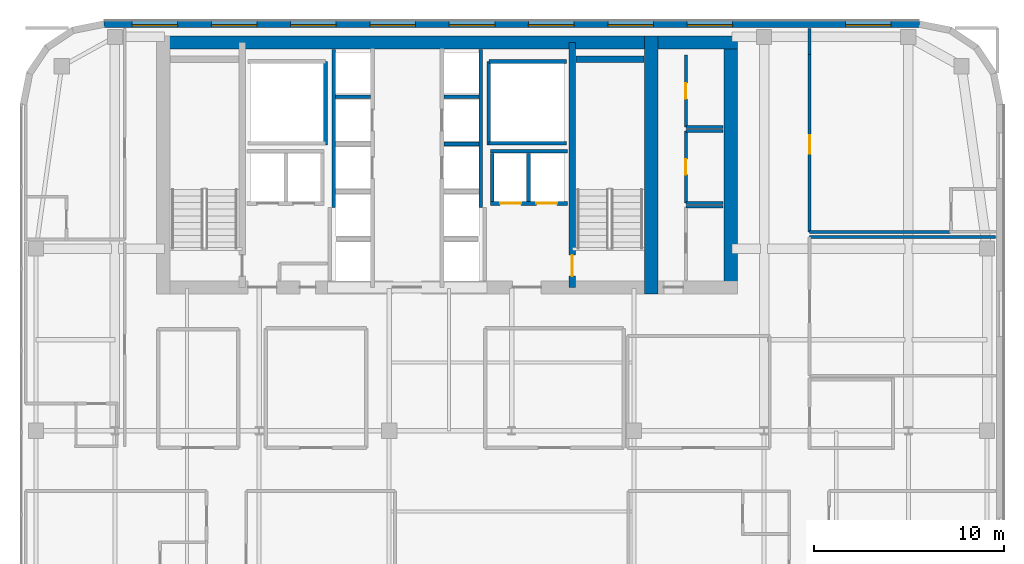
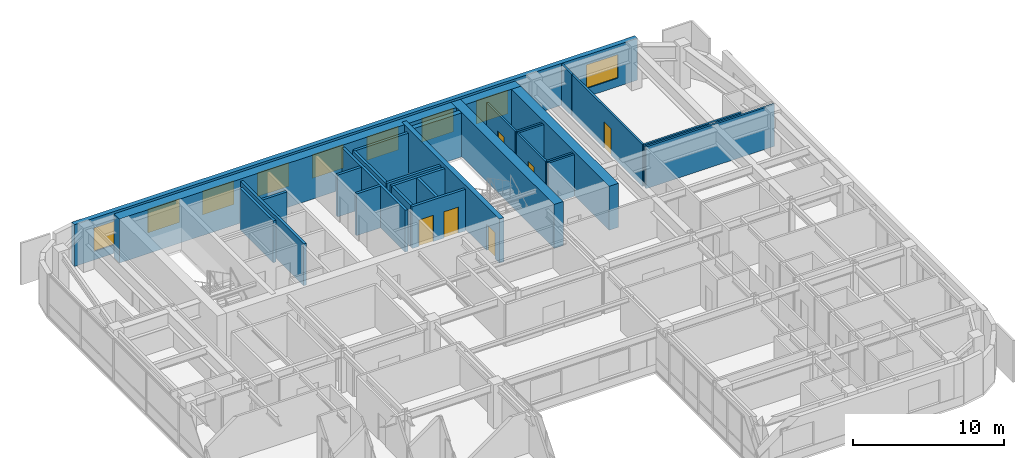
# One storey, part 22 of 28: 30 walls, 9 windows, 6 doors, 15 openings.
"""IFC4 building model written with IfcOpenShell, lengths in metres."""

from ifc_helpers import new_model, si_unit, direction, frame, frame_2d, origin, place, context, subcontext, project, spatial, rectangle, extrude, source, transform, mapped, material, layer, layer_set, type_object, type_shapes, element, fill, save


model = new_model("IFC4")

# Units and contexts
model_context = context("Model", 3, precision=1e-05, world=origin(), true_north=direction((0.0, 1.0)))
body_context = subcontext(model_context, "Body", "Model", "MODEL_VIEW")
ifc_project = project(units=[si_unit("LENGTHUNIT", "METRE"), si_unit("AREAUNIT", "SQUARE_METRE"), si_unit("VOLUMEUNIT", "CUBIC_METRE"), si_unit("PLANEANGLEUNIT", "RADIAN"), si_unit("MASSUNIT", "GRAM", prefix="KILO")], contexts=[model_context])

# Site, building, storey
site_placement = place(None, origin())
site = spatial("IfcSite", under=ifc_project, at=site_placement, CompositionType="ELEMENT")
building_placement = place(site_placement, origin())
building = spatial("IfcBuilding", under=site, at=building_placement, Name="Tolvann Quenvar Hotel", CompositionType="ELEMENT")
storey_placement = place(building_placement, frame((0.0, 0.0, 154.14990234375)))
storey = spatial("IfcBuildingStorey", under=building, at=storey_placement, Name="L40", CompositionType="ELEMENT", Elevation=154.14990234375)

# Walls
ifc_material_1 = material(Name="Concrete S65 (65 MPa)", Category="concrete")
ifc_layer_1 = layer(ifc_material_1, 0.699951171875)
ifc_layer_set_1 = layer_set([ifc_layer_1], Name="Concrete S65 (65 MPa)")
wall_type_1 = type_object("IfcWallType", Name="WALL_CORE_700", PredefinedType="SHEAR", material=ifc_layer_set_1)
wall_1_placement = place(storey_placement, frame((9.800048828125, 44.85009765625, 0.0), z_axis=(0.0, 0.0, 1.0), x_axis=(1.0, 0.0, 0.0)))
element("IfcWall", 1, at=wall_1_placement, inside=storey, type_object=wall_type_1, Name="Rear Core N Shear Wall (L40)", PredefinedType="SHEAR", context=body_context, shape_type="SweptSolid", body=[
    extrude(rectangle(XDim=26.39990234375, YDim=0.699951171875, at=frame_2d((13.199951171875, 0.0))), origin(), (0.0, 0.0, 1.0), 3.550048828125),
])
wall_2_placement = place(storey_placement, frame((35.85009765625, 31.60009765625, 0.0), z_axis=(0.0, 0.0, 1.0), x_axis=(0.0, 1.0, 0.0)))
element("IfcWall", 2, at=wall_2_placement, inside=storey, type_object=wall_type_1, Name="Rear Core E Shear Wall (L40)", PredefinedType="SHEAR", context=body_context, shape_type="SweptSolid", body=[
    extrude(rectangle(XDim=13.599853515625, YDim=0.699951171875, at=frame_2d((6.7998046875, 0.0))), origin(), (0.0, 0.0, 1.0), 3.550048828125),
])
wall_3_placement = place(storey_placement, frame((36.199951171875, 44.85009765625, 0.0), z_axis=(0.0, 0.0, 1.0), x_axis=(1.0, 0.0, 0.0)))
element("IfcWall", 3, at=wall_3_placement, inside=storey, type_object=wall_type_1, Name="Core East Annex Shear Wall ANN-N (L40)", PredefinedType="SHEAR", context=body_context, shape_type="SweptSolid", body=[
    extrude(rectangle(XDim=4.199951171875, YDim=0.699951171875, at=frame_2d((2.10009765625, 0.0))), origin(), (0.0, 0.0, 1.0), 3.550048828125),
])
wall_4_placement = place(storey_placement, frame((40.050048828125, 31.60009765625, 0.0), z_axis=(0.0, 0.0, 1.0), x_axis=(0.0, 1.0, 0.0)))
element("IfcWall", 4, at=wall_4_placement, inside=storey, type_object=wall_type_1, Name="Core East Annex Shear Wall ANN-E (L40)", PredefinedType="SHEAR", context=body_context, shape_type="SweptSolid", body=[
    extrude(rectangle(XDim=13.599853515625, YDim=0.699951171875, at=frame_2d((6.7998046875, 0.0))), origin(), (0.0, 0.0, 1.0), 3.550048828125),
])

# Wall, opening, door
ifc_layer_2 = layer(ifc_material_1, 0.35009765625)
ifc_layer_set_2 = layer_set([ifc_layer_2], Name="Concrete S65 (65 MPa)")
wall_type_2 = type_object("IfcWallType", Name="WALL_CORE_INT_350", PredefinedType="SHEAR", material=ifc_layer_set_2)
wall_5_placement = place(storey_placement, frame((31.699951171875, 31.949951171875, 0.0), z_axis=(0.0, 0.0, 1.0), x_axis=(0.0, 1.0, 0.0)))
wall_5 = element("IfcWall", 5, at=wall_5_placement, inside=storey, type_object=wall_type_2, Name="Core Internal Web Shear Wall WEB-E (L40)", PredefinedType="SHEAR", context=body_context, shape_type="SweptSolid", body=[
    extrude(rectangle(XDim=12.900146484375, YDim=0.35009765625, at=frame_2d((6.4501953125, 0.0))), origin(), (0.0, 0.0, 1.0), 3.550048828125),
])
opening_1_placement = place(wall_5_placement, frame((1.7001953125, 0.0, 0.0), z_axis=(0.0, 0.0, 1.0), x_axis=(-1.0, 0.0, 0.0)))
opening_1 = element("IfcOpeningElement", 6, at=opening_1_placement, cuts=wall_5, Name="Opening FD-120", PredefinedType="OPENING", context=body_context, shape_type="SweptSolid", body=[
    extrude(rectangle(XDim=1.10009765625, YDim=2.1201171875, at=frame_2d((0.550048828125, 1.06005859375))), frame((0.0, 0.18505859375, 0.0), z_axis=(0.0, -1.0, 0.0), x_axis=(1.0, 0.0, 0.0)), (0.0, 0.0, 1.0), 0.3701171875),
])
ifc_material_2 = material(Name="Pressed galvanised steel fire-rated door set", Category="steel")
door_type_1 = type_object("IfcDoorType", Name="DOOR_FIRE_STAIR_1100", OperationType="NOTDEFINED", PredefinedType="DOOR", material=ifc_material_2)
shared_shape_1 = source(origin(), body_context, "Body", "SweptSolid", [
    extrude(rectangle(XDim=1.10009765625, YDim=2.1201171875, at=frame_2d((0.550048828125, 1.06005859375))), frame((0.0, 0.02490234375, 0.0), z_axis=(0.0, -1.0, 0.0), x_axis=(1.0, 0.0, 0.0)), (0.0, 0.0, 1.0), 0.050048828125),
])
type_shapes(door_type_1, [shared_shape_1])
door_1_placement = place(opening_1_placement, origin())
door_1 = element("IfcDoor", 7, at=door_1_placement, inside=storey, type_object=door_type_1, Name="Exit Stair ST-C2 Fire Door (L40)", OperationType="SINGLE_SWING_RIGHT", OverallHeight=2.1201171875, OverallWidth=1.10009765625, PredefinedType="DOOR", context=body_context, shape_type="MappedRepresentation", body=[
    mapped(shared_shape_1, transform((0.0, 0.0, 0.0), x_axis=(1.0, 0.0, 0.0), y_axis=(0.0, 1.0, 0.0), z_axis=(0.0, 0.0, 1.0), scale=1.0)),
])
fill(opening_1, door_1)

# Wall
wall_6_placement = place(storey_placement, frame((31.8798828125, 43.97509765625, 0.0), z_axis=(0.0, 0.0, 1.0), x_axis=(1.0, 0.0, 0.0)))
element("IfcWall", 8, at=wall_6_placement, inside=storey, type_object=wall_type_2, Name="Core Stair North Closing Shear Wall STC2-N (L40)", PredefinedType="SHEAR", context=body_context, shape_type="SweptSolid", body=[
    extrude(rectangle(XDim=3.60009765625, YDim=0.35009765625, at=frame_2d((1.800048828125, 0.0))), origin(), (0.0, 0.0, 1.0), 3.550048828125),
])

# Wall, openings, windows
ifc_material_3 = material(Name="Kiln-fired red and buff architectural clay brickwork and terracotta masonry", Category="masonry")
ifc_layer_3 = layer(ifc_material_3, 0.35009765625)
ifc_layer_set_3 = layer_set([ifc_layer_3], Name="Kiln-fired red and buff architectural clay brickwork and terracotta masonry")
wall_type_3 = type_object("IfcWallType", Name="WALL_EXT_BRICK_350", PredefinedType="SOLIDWALL", material=ifc_layer_set_3)
wall_7_placement = place(storey_placement, frame((49.98291015625, 45.824951171875, 0.0), z_axis=(0.0, 0.0, 1.0), x_axis=(-1.0, 0.0, 0.0)))
wall_7 = element("IfcWall", 9, at=wall_7_placement, inside=storey, type_object=wall_type_3, Name="Exterior Chicago Brick Wall L40-E18", PredefinedType="SOLIDWALL", context=body_context, shape_type="SweptSolid", body=[
    extrude(rectangle(XDim=42.9658203125, YDim=0.35009765625, at=frame_2d((21.48291015625, 0.0))), origin(), (0.0, 0.0, 1.0), 3.3701171875),
])
opening_2_placement = place(wall_7_placement, frame((1.488037109375, 0.0, 0.679931640625)))
opening_2 = element("IfcOpeningElement", 10, at=opening_2_placement, cuts=wall_7, Name="Opening W-01", PredefinedType="OPENING", context=body_context, shape_type="SweptSolid", body=[
    extrude(rectangle(XDim=2.39990234375, YDim=1.89990234375, at=frame_2d((1.199951171875, 0.949951171875))), frame((0.0, 0.18505859375, 0.0), z_axis=(0.0, -1.0, 0.0), x_axis=(1.0, 0.0, 0.0)), (0.0, 0.0, 1.0), 0.3701171875),
])
opening_3_placement = place(wall_7_placement, frame((9.841064453125, 0.0, 0.679931640625)))
opening_3 = element("IfcOpeningElement", 11, at=opening_3_placement, cuts=wall_7, Name="Opening W-01", PredefinedType="OPENING", context=body_context, shape_type="SweptSolid", body=[
    extrude(rectangle(XDim=2.39990234375, YDim=1.89990234375, at=frame_2d((1.199951171875, 0.949951171875))), frame((0.0, 0.18505859375, 0.0), z_axis=(0.0, -1.0, 0.0), x_axis=(1.0, 0.0, 0.0)), (0.0, 0.0, 1.0), 0.3701171875),
])
opening_4_placement = place(wall_7_placement, frame((14.01806640625, 0.0, 0.679931640625)))
opening_4 = element("IfcOpeningElement", 12, at=opening_4_placement, cuts=wall_7, Name="Opening W-01", PredefinedType="OPENING", context=body_context, shape_type="SweptSolid", body=[
    extrude(rectangle(XDim=2.39990234375, YDim=1.89990234375, at=frame_2d((1.199951171875, 0.949951171875))), frame((0.0, 0.18505859375, 0.0), z_axis=(0.0, -1.0, 0.0), x_axis=(1.0, 0.0, 0.0)), (0.0, 0.0, 1.0), 0.3701171875),
])
opening_5_placement = place(wall_7_placement, frame((18.195068359375, 0.0, 0.679931640625)))
opening_5 = element("IfcOpeningElement", 13, at=opening_5_placement, cuts=wall_7, Name="Opening W-01", PredefinedType="OPENING", context=body_context, shape_type="SweptSolid", body=[
    extrude(rectangle(XDim=2.39990234375, YDim=1.89990234375, at=frame_2d((1.199951171875, 0.949951171875))), frame((0.0, 0.18505859375, 0.0), z_axis=(0.0, -1.0, 0.0), x_axis=(1.0, 0.0, 0.0)), (0.0, 0.0, 1.0), 0.3701171875),
])
opening_6_placement = place(wall_7_placement, frame((22.37109375, 0.0, 0.679931640625)))
opening_6 = element("IfcOpeningElement", 14, at=opening_6_placement, cuts=wall_7, Name="Opening W-01", PredefinedType="OPENING", context=body_context, shape_type="SweptSolid", body=[
    extrude(rectangle(XDim=2.39990234375, YDim=1.89990234375, at=frame_2d((1.199951171875, 0.949951171875))), frame((0.0, 0.18505859375, 0.0), z_axis=(0.0, -1.0, 0.0), x_axis=(1.0, 0.0, 0.0)), (0.0, 0.0, 1.0), 0.3701171875),
])
opening_7_placement = place(wall_7_placement, frame((26.548095703125, 0.0, 0.679931640625)))
opening_7 = element("IfcOpeningElement", 15, at=opening_7_placement, cuts=wall_7, Name="Opening W-01", PredefinedType="OPENING", context=body_context, shape_type="SweptSolid", body=[
    extrude(rectangle(XDim=2.39990234375, YDim=1.89990234375, at=frame_2d((1.199951171875, 0.949951171875))), frame((0.0, 0.18505859375, 0.0), z_axis=(0.0, -1.0, 0.0), x_axis=(1.0, 0.0, 0.0)), (0.0, 0.0, 1.0), 0.3701171875),
])
opening_8_placement = place(wall_7_placement, frame((30.72412109375, 0.0, 0.679931640625)))
opening_8 = element("IfcOpeningElement", 16, at=opening_8_placement, cuts=wall_7, Name="Opening W-01", PredefinedType="OPENING", context=body_context, shape_type="SweptSolid", body=[
    extrude(rectangle(XDim=2.39990234375, YDim=1.89990234375, at=frame_2d((1.199951171875, 0.949951171875))), frame((0.0, 0.18505859375, 0.0), z_axis=(0.0, -1.0, 0.0), x_axis=(1.0, 0.0, 0.0)), (0.0, 0.0, 1.0), 0.3701171875),
])
opening_9_placement = place(wall_7_placement, frame((34.90087890625, 0.0, 0.679931640625)))
opening_9 = element("IfcOpeningElement", 17, at=opening_9_placement, cuts=wall_7, Name="Opening W-01", PredefinedType="OPENING", context=body_context, shape_type="SweptSolid", body=[
    extrude(rectangle(XDim=2.39990234375, YDim=1.89990234375, at=frame_2d((1.199951171875, 0.949951171875))), frame((0.0, 0.18505859375, 0.0), z_axis=(0.0, -1.0, 0.0), x_axis=(1.0, 0.0, 0.0)), (0.0, 0.0, 1.0), 0.3701171875),
])
opening_10_placement = place(wall_7_placement, frame((39.076904296875, 0.0, 0.679931640625)))
opening_10 = element("IfcOpeningElement", 18, at=opening_10_placement, cuts=wall_7, Name="Opening W-01", PredefinedType="OPENING", context=body_context, shape_type="SweptSolid", body=[
    extrude(rectangle(XDim=2.39990234375, YDim=1.89990234375, at=frame_2d((1.199951171875, 0.949951171875))), frame((0.0, 0.18505859375, 0.0), z_axis=(0.0, -1.0, 0.0), x_axis=(1.0, 0.0, 0.0)), (0.0, 0.0, 1.0), 0.3701171875),
])
ifc_material_4 = material(Name="Thermally broken bronze-anodised aluminium frame with double low-E glazing", Category="aluminium")
window_type = type_object("IfcWindowType", Name="WIN_CHI_2400x2050", PartitioningType="TRIPLE_PANEL_HORIZONTAL", PredefinedType="WINDOW", material=ifc_material_4)
shared_shape_2 = source(origin(), body_context, "Body", "SweptSolid", [
    extrude(rectangle(XDim=2.39990234375, YDim=1.89990234375, at=frame_2d((1.199951171875, 0.949951171875))), frame((0.0, 0.090087890625, 0.0), z_axis=(0.0, -1.0, 0.0), x_axis=(1.0, 0.0, 0.0)), (0.0, 0.0, 1.0), 0.06005859375),
])
type_shapes(window_type, [shared_shape_2])
window_1_placement = place(opening_2_placement, origin())
window_1 = element("IfcWindow", 19, at=window_1_placement, inside=storey, type_object=window_type, Name="Chicago Window W-01 (EW-L40-E18-W01)", OverallHeight=1.89990234375, OverallWidth=2.39990234375, PartitioningType="TRIPLE_PANEL_HORIZONTAL", PredefinedType="WINDOW", context=body_context, shape_type="MappedRepresentation", body=[
    mapped(shared_shape_2, transform((0.0, 0.0, 0.0), x_axis=(1.0, 0.0, 0.0), y_axis=(0.0, 1.0, 0.0), z_axis=(0.0, 0.0, 1.0), scale=1.0)),
])
fill(opening_2, window_1)
window_2_placement = place(opening_3_placement, origin())
window_2 = element("IfcWindow", 20, at=window_2_placement, inside=storey, type_object=window_type, Name="Chicago Window W-01 (EW-L40-E18-W02)", OverallHeight=1.89990234375, OverallWidth=2.39990234375, PartitioningType="TRIPLE_PANEL_HORIZONTAL", PredefinedType="WINDOW", context=body_context, shape_type="MappedRepresentation", body=[
    mapped(shared_shape_2, transform((0.0, 0.0, 0.0), x_axis=(1.0, 0.0, 0.0), y_axis=(0.0, 1.0, 0.0), z_axis=(0.0, 0.0, 1.0), scale=1.0)),
])
fill(opening_3, window_2)
window_3_placement = place(opening_4_placement, origin())
window_3 = element("IfcWindow", 21, at=window_3_placement, inside=storey, type_object=window_type, Name="Chicago Window W-01 (EW-L40-E18-W03)", OverallHeight=1.89990234375, OverallWidth=2.39990234375, PartitioningType="TRIPLE_PANEL_HORIZONTAL", PredefinedType="WINDOW", context=body_context, shape_type="MappedRepresentation", body=[
    mapped(shared_shape_2, transform((0.0, 0.0, 0.0), x_axis=(1.0, 0.0, 0.0), y_axis=(0.0, 1.0, 0.0), z_axis=(0.0, 0.0, 1.0), scale=1.0)),
])
fill(opening_4, window_3)
window_4_placement = place(opening_5_placement, origin())
window_4 = element("IfcWindow", 22, at=window_4_placement, inside=storey, type_object=window_type, Name="Chicago Window W-01 (EW-L40-E18-W04)", OverallHeight=1.89990234375, OverallWidth=2.39990234375, PartitioningType="TRIPLE_PANEL_HORIZONTAL", PredefinedType="WINDOW", context=body_context, shape_type="MappedRepresentation", body=[
    mapped(shared_shape_2, transform((0.0, 0.0, 0.0), x_axis=(1.0, 0.0, 0.0), y_axis=(0.0, 1.0, 0.0), z_axis=(0.0, 0.0, 1.0), scale=1.0)),
])
fill(opening_5, window_4)
window_5_placement = place(opening_6_placement, origin())
window_5 = element("IfcWindow", 23, at=window_5_placement, inside=storey, type_object=window_type, Name="Chicago Window W-01 (EW-L40-E18-W05)", OverallHeight=1.89990234375, OverallWidth=2.39990234375, PartitioningType="TRIPLE_PANEL_HORIZONTAL", PredefinedType="WINDOW", context=body_context, shape_type="MappedRepresentation", body=[
    mapped(shared_shape_2, transform((0.0, 0.0, 0.0), x_axis=(1.0, 0.0, 0.0), y_axis=(0.0, 1.0, 0.0), z_axis=(0.0, 0.0, 1.0), scale=1.0)),
])
fill(opening_6, window_5)
window_6_placement = place(opening_7_placement, origin())
window_6 = element("IfcWindow", 24, at=window_6_placement, inside=storey, type_object=window_type, Name="Chicago Window W-01 (EW-L40-E18-W06)", OverallHeight=1.89990234375, OverallWidth=2.39990234375, PartitioningType="TRIPLE_PANEL_HORIZONTAL", PredefinedType="WINDOW", context=body_context, shape_type="MappedRepresentation", body=[
    mapped(shared_shape_2, transform((0.0, 0.0, 0.0), x_axis=(1.0, 0.0, 0.0), y_axis=(0.0, 1.0, 0.0), z_axis=(0.0, 0.0, 1.0), scale=1.0)),
])
fill(opening_7, window_6)
window_7_placement = place(opening_8_placement, origin())
window_7 = element("IfcWindow", 25, at=window_7_placement, inside=storey, type_object=window_type, Name="Chicago Window W-01 (EW-L40-E18-W07)", OverallHeight=1.89990234375, OverallWidth=2.39990234375, PartitioningType="TRIPLE_PANEL_HORIZONTAL", PredefinedType="WINDOW", context=body_context, shape_type="MappedRepresentation", body=[
    mapped(shared_shape_2, transform((0.0, 0.0, 0.0), x_axis=(1.0, 0.0, 0.0), y_axis=(0.0, 1.0, 0.0), z_axis=(0.0, 0.0, 1.0), scale=1.0)),
])
fill(opening_8, window_7)
window_8_placement = place(opening_9_placement, origin())
window_8 = element("IfcWindow", 26, at=window_8_placement, inside=storey, type_object=window_type, Name="Chicago Window W-01 (EW-L40-E18-W08)", OverallHeight=1.89990234375, OverallWidth=2.39990234375, PartitioningType="TRIPLE_PANEL_HORIZONTAL", PredefinedType="WINDOW", context=body_context, shape_type="MappedRepresentation", body=[
    mapped(shared_shape_2, transform((0.0, 0.0, 0.0), x_axis=(1.0, 0.0, 0.0), y_axis=(0.0, 1.0, 0.0), z_axis=(0.0, 0.0, 1.0), scale=1.0)),
])
fill(opening_9, window_8)
window_9_placement = place(opening_10_placement, origin())
window_9 = element("IfcWindow", 27, at=window_9_placement, inside=storey, type_object=window_type, Name="Chicago Window W-01 (EW-L40-E18-W09)", OverallHeight=1.89990234375, OverallWidth=2.39990234375, PartitioningType="TRIPLE_PANEL_HORIZONTAL", PredefinedType="WINDOW", context=body_context, shape_type="MappedRepresentation", body=[
    mapped(shared_shape_2, transform((0.0, 0.0, 0.0), x_axis=(1.0, 0.0, 0.0), y_axis=(0.0, 1.0, 0.0), z_axis=(0.0, 0.0, 1.0), scale=1.0)),
])
fill(opening_10, window_9)

# Walls
ifc_material_5 = material(Name="Acoustic twin-stud fire-rated gypsum plasterboard partition")
ifc_layer_4 = layer(ifc_material_5, 0.14990234375)
ifc_layer_set_4 = layer_set([ifc_layer_4], Name="Acoustic twin-stud fire-rated gypsum plasterboard partition")
wall_type_4 = type_object("IfcWallType", Name="WALL_PART_SUITE_150", PredefinedType="PARTITIONING", material=ifc_layer_set_4)
for number, where, z_axis, x_axis, name in (
    (28, (37.679931640625, 36.199951171875, 0.0), (0.0, 0.0, 1.0), (1.0, 0.0, 0.0), "Interior Partition PT-SPC-L40-RECPL-1-N"),
    (29, (37.679931640625, 36.39990234375, 0.0), (0.0, 0.0, 1.0), (1.0, 0.0, 0.0), "Interior Partition PT-SPC-L40-CSE-1-S"),
    (30, (37.679931640625, 40.199951171875, 0.0), (0.0, 0.0, 1.0), (1.0, 0.0, 0.0), "Interior Partition PT-SPC-L40-CSE-1-N"),
):
    element("IfcWall", number, at=place(storey_placement, frame(where, z_axis=z_axis, x_axis=x_axis)), inside=storey, type_object=wall_type_4, Name=name, PredefinedType="PARTITIONING", context=body_context, shape_type="SweptSolid", body=[
        extrude(rectangle(XDim=1.965087890625, YDim=0.14990234375, at=frame_2d((0.982421875, 0.0))), origin(), (0.0, 0.0, 1.0), 3.3701171875),
    ])

# Wall, opening, door
wall_8_placement = place(storey_placement, frame((37.679931640625, 36.39990234375, 0.0), z_axis=(0.0, 0.0, 1.0), x_axis=(0.0, 1.0, 0.0)))
wall_8 = element("IfcWall", 31, at=wall_8_placement, inside=storey, type_object=wall_type_4, Name="Interior Partition PT-SPC-L40-CSE-1-W", PredefinedType="PARTITIONING", context=body_context, shape_type="SweptSolid", body=[
    extrude(rectangle(XDim=3.800048828125, YDim=0.14990234375, at=frame_2d((1.89990234375, 0.0))), origin(), (0.0, 0.0, 1.0), 3.3701171875),
])
opening_11_placement = place(wall_8_placement, frame((1.489990234375, 0.0, 0.0)))
opening_11 = element("IfcOpeningElement", 32, at=opening_11_placement, cuts=wall_8, Name="Opening HD-02", PredefinedType="OPENING", context=body_context, shape_type="SweptSolid", body=[
    extrude(rectangle(XDim=0.820068359375, YDim=2.010009765625, at=frame_2d((0.41015625, 1.0048828125))), frame((0.0, 0.0849609375, 0.0), z_axis=(0.0, -1.0, 0.0), x_axis=(1.0, 0.0, 0.0)), (0.0, 0.0, 1.0), 0.169921875),
])
door_type_2 = type_object("IfcDoorType", Name="DOOR_STORE_820", OperationType="NOTDEFINED", PredefinedType="DOOR", material=ifc_material_2)
shared_shape_3 = source(origin(), body_context, "Body", "SweptSolid", [
    extrude(rectangle(XDim=0.820068359375, YDim=2.010009765625, at=frame_2d((0.41015625, 1.0048828125))), frame((0.0, 0.02490234375, 0.0), z_axis=(0.0, -1.0, 0.0), x_axis=(1.0, 0.0, 0.0)), (0.0, 0.0, 1.0), 0.050048828125),
])
type_shapes(door_type_2, [shared_shape_3])
door_2_placement = place(opening_11_placement, origin())
door_2 = element("IfcDoor", 33, at=door_2_placement, inside=storey, type_object=door_type_2, Name="Interior Door DOOR-SPC-L40-CSE-1", OperationType="SINGLE_SWING_RIGHT", OverallHeight=2.010009765625, OverallWidth=0.820068359375, PredefinedType="DOOR", context=body_context, shape_type="MappedRepresentation", body=[
    mapped(shared_shape_3, transform((0.0, 0.0, 0.0), x_axis=(1.0, 0.0, 0.0), y_axis=(0.0, 1.0, 0.0), z_axis=(0.0, 0.0, 1.0), scale=1.0)),
])
fill(opening_11, door_2)

# Wall
wall_9_placement = place(storey_placement, frame((37.679931640625, 40.39990234375, 0.0), z_axis=(0.0, 0.0, 1.0), x_axis=(1.0, 0.0, 0.0)))
element("IfcWall", 34, at=wall_9_placement, inside=storey, type_object=wall_type_4, Name="Interior Partition PT-SPC-L40-CSE-2-S", PredefinedType="PARTITIONING", context=body_context, shape_type="SweptSolid", body=[
    extrude(rectangle(XDim=1.965087890625, YDim=0.14990234375, at=frame_2d((0.982421875, 0.0))), origin(), (0.0, 0.0, 1.0), 3.3701171875),
])

# Wall, opening, door
wall_10_placement = place(storey_placement, frame((37.679931640625, 40.39990234375, 0.0), z_axis=(0.0, 0.0, 1.0), x_axis=(0.0, 1.0, 0.0)))
wall_10 = element("IfcWall", 35, at=wall_10_placement, inside=storey, type_object=wall_type_4, Name="Interior Partition PT-SPC-L40-CSE-2-W", PredefinedType="PARTITIONING", context=body_context, shape_type="SweptSolid", body=[
    extrude(rectangle(XDim=3.800048828125, YDim=0.14990234375, at=frame_2d((1.89990234375, 0.0))), origin(), (0.0, 0.0, 1.0), 3.3701171875),
])
opening_12_placement = place(wall_10_placement, frame((1.489990234375, 0.0, 0.0)))
opening_12 = element("IfcOpeningElement", 36, at=opening_12_placement, cuts=wall_10, Name="Opening HD-02", PredefinedType="OPENING", context=body_context, shape_type="SweptSolid", body=[
    extrude(rectangle(XDim=0.820068359375, YDim=2.010009765625, at=frame_2d((0.41015625, 1.0048828125))), frame((0.0, 0.0849609375, 0.0), z_axis=(0.0, -1.0, 0.0), x_axis=(1.0, 0.0, 0.0)), (0.0, 0.0, 1.0), 0.169921875),
])
door_3_placement = place(opening_12_placement, origin())
door_3 = element("IfcDoor", 37, at=door_3_placement, inside=storey, type_object=door_type_2, Name="Interior Door DOOR-SPC-L40-CSE-2", OperationType="SINGLE_SWING_LEFT", OverallHeight=2.010009765625, OverallWidth=0.820068359375, PredefinedType="DOOR", context=body_context, shape_type="MappedRepresentation", body=[
    mapped(shared_shape_3, transform((0.0, 0.0, 0.0), x_axis=(1.0, 0.0, 0.0), y_axis=(0.0, 1.0, 0.0), z_axis=(0.0, 0.0, 1.0), scale=1.0)),
])
fill(opening_12, door_3)

# Wall
wall_11_placement = place(storey_placement, frame((44.199951171875, 34.60009765625, 0.0), z_axis=(0.0, 0.0, 1.0), x_axis=(1.0, 0.0, 0.0)))
element("IfcWall", 38, at=wall_11_placement, inside=storey, type_object=wall_type_4, Name="Interior Partition PT-SPC-L40-SPA-N", PredefinedType="PARTITIONING", context=body_context, shape_type="SweptSolid", body=[
    extrude(rectangle(XDim=9.795166015625, YDim=0.14990234375, at=frame_2d((4.8974609375, 0.0))), origin(), (0.0, 0.0, 1.0), 3.3701171875),
])

# Wall, opening, door
wall_12_placement = place(storey_placement, frame((44.199951171875, 34.8798828125, 0.0), z_axis=(0.0, 0.0, 1.0), x_axis=(0.0, 1.0, 0.0)))
wall_12 = element("IfcWall", 39, at=wall_12_placement, inside=storey, type_object=wall_type_4, Name="Interior Partition PT-SPC-L40-RM-NE01-ENT", PredefinedType="PARTITIONING", context=body_context, shape_type="SweptSolid", body=[
    extrude(rectangle(XDim=9.330078125, YDim=0.14990234375, at=frame_2d((4.6650390625, 0.0))), origin(), (0.0, 0.0, 1.0), 3.3701171875),
])
opening_13_placement = place(wall_12_placement, frame((4.1201171875, 0.0, 0.0)))
opening_13 = element("IfcOpeningElement", 40, at=opening_13_placement, cuts=wall_12, Name="Opening SD-01", PredefinedType="OPENING", context=body_context, shape_type="SweptSolid", body=[
    extrude(rectangle(XDim=0.97998046875, YDim=2.1201171875, at=frame_2d((0.489990234375, 1.06005859375))), frame((0.0, 0.0849609375, 0.0), z_axis=(0.0, -1.0, 0.0), x_axis=(1.0, 0.0, 0.0)), (0.0, 0.0, 1.0), 0.169921875),
])
ifc_material_6 = material(Name="Solid-core American oak acoustic fire door leaf in steel frame", Category="steel")
door_type_3 = type_object("IfcDoorType", Name="DOOR_SUITE_980", OperationType="NOTDEFINED", PredefinedType="DOOR", material=ifc_material_6)
shared_shape_4 = source(origin(), body_context, "Body", "SweptSolid", [
    extrude(rectangle(XDim=0.97998046875, YDim=2.1201171875, at=frame_2d((0.489990234375, 1.06005859375))), frame((0.0, 0.02490234375, 0.0), z_axis=(0.0, -1.0, 0.0), x_axis=(1.0, 0.0, 0.0)), (0.0, 0.0, 1.0), 0.050048828125),
])
type_shapes(door_type_3, [shared_shape_4])
door_4_placement = place(opening_13_placement, origin())
door_4 = element("IfcDoor", 41, at=door_4_placement, inside=storey, type_object=door_type_3, Name="Interior Door DOOR-SPC-L40-RM-NE01", OperationType="SINGLE_SWING_RIGHT", OverallHeight=2.1201171875, OverallWidth=0.97998046875, PredefinedType="DOOR", context=body_context, shape_type="MappedRepresentation", body=[
    mapped(shared_shape_4, transform((0.0, 0.0, 0.0), x_axis=(1.0, 0.0, 0.0), y_axis=(0.0, 1.0, 0.0), z_axis=(0.0, 0.0, 1.0), scale=1.0)),
])
fill(opening_13, door_4)

# Walls
wall_13_placement = place(storey_placement, frame((44.199951171875, 34.8798828125, 0.0), z_axis=(0.0, 0.0, 1.0), x_axis=(1.0, 0.0, 0.0)))
element("IfcWall", 42, at=wall_13_placement, inside=storey, type_object=wall_type_4, Name="Interior Partition PT-SPC-L40-RM-NE01-E1", PredefinedType="PARTITIONING", context=body_context, shape_type="SweptSolid", body=[
    extrude(rectangle(XDim=7.429931640625, YDim=0.14990234375, at=frame_2d((3.71484375, 0.0))), origin(), (0.0, 0.0, 1.0), 3.3701171875),
])
wall_14_placement = place(storey_placement, frame((44.199951171875, 44.219970703125, 0.0), z_axis=(0.0, 0.0, 1.0), x_axis=(0.0, 1.0, 0.0)))
element("IfcWall", 43, at=wall_14_placement, inside=storey, type_object=wall_type_4, Name="Interior Partition PT-SPC-L40-RM-NE01-E6", PredefinedType="PARTITIONING", context=body_context, shape_type="SweptSolid", body=[
    extrude(rectangle(XDim=1.375, YDim=0.14990234375, at=frame_2d((0.6875, 0.0))), origin(), (0.0, 0.0, 1.0), 3.3701171875),
])
ifc_material_7 = material(Name="Concrete N40 (40 MPa)", Category="concrete")
ifc_layer_5 = layer(ifc_material_7, 0.199951171875)
ifc_layer_set_5 = layer_set([ifc_layer_5], Name="Concrete N40 (40 MPa)")
wall_type_5 = type_object("IfcWallType", Name="WALL_SHAFT_200", PredefinedType="SOLIDWALL", material=ifc_layer_set_5)
for number, where, z_axis, x_axis, name in (
    (44, (18.699951171875, 39.449951171875, 0.0), (0.0, 0.0, 1.0), (0.0, 1.0, 0.0), "Service Riser W Shaft Wall IN (L40)"),
    (45, (27.300048828125, 39.449951171875, 0.0), (0.0, 0.0, 1.0), (0.0, 1.0, 0.0), "Service Riser E Shaft Wall IN (L40)"),
):
    element("IfcWall", number, at=place(storey_placement, frame(where, z_axis=z_axis, x_axis=x_axis)), inside=storey, type_object=wall_type_5, Name=name, PredefinedType="SOLIDWALL", context=body_context, shape_type="SweptSolid", body=[
        extrude(rectangle(XDim=4.400146484375, YDim=0.199951171875, at=frame_2d((2.2001953125, 0.0))), origin(), (0.0, 0.0, 1.0), 3.3701171875),
    ])
for number, where, z_axis, x_axis, name in (
    (46, (27.300048828125, 39.550048828125, 0.0), (0.0, 0.0, 1.0), (1.0, 0.0, 0.0), "Service Riser E Shaft Wall S (L40)"),
    (47, (27.300048828125, 43.85009765625, 0.0), (0.0, 0.0, 1.0), (1.0, 0.0, 0.0), "Service Riser E Shaft Wall N (L40)"),
):
    element("IfcWall", number, at=place(storey_placement, frame(where, z_axis=z_axis, x_axis=x_axis)), inside=storey, type_object=wall_type_5, Name=name, PredefinedType="SOLIDWALL", context=body_context, shape_type="SweptSolid", body=[
        extrude(rectangle(XDim=4.099853515625, YDim=0.199951171875, at=frame_2d((2.0498046875, 0.0))), origin(), (0.0, 0.0, 1.0), 3.3701171875),
    ])
wall_15_placement = place(storey_placement, frame((19.1298828125, 36.159912109375, 0.0), z_axis=(0.0, 0.0, 1.0), x_axis=(0.0, 1.0, 0.0)))
element("IfcWall", 48, at=wall_15_placement, inside=storey, type_object=wall_type_5, Name="Lift Bank E21.1C1 Hoistway Rear Wall (L40)", PredefinedType="SOLIDWALL", context=body_context, shape_type="SweptSolid", body=[
    extrude(rectangle(XDim=8.336181640625, YDim=0.199951171875, at=frame_2d((4.16796875, 0.0))), origin(), (0.0, 0.0, 1.0), 3.3701171875),
])
wall_16_placement = place(storey_placement, frame((19.22998046875, 42.0, 0.0), z_axis=(0.0, 0.0, 1.0), x_axis=(1.0, 0.0, 0.0)))
element("IfcWall", 49, at=wall_16_placement, inside=storey, type_object=wall_type_5, Name="Lift Bank E21.1C1 Divider Wall 4 (L40)", PredefinedType="SOLIDWALL", context=body_context, shape_type="SweptSolid", body=[
    extrude(rectangle(XDim=1.840087890625, YDim=0.199951171875, at=frame_2d((0.919921875, 0.0))), origin(), (0.0, 0.0, 1.0), 3.3701171875),
])

# Wall, openings, doors
wall_17_placement = place(storey_placement, frame((27.375, 36.3798828125, 0.0), z_axis=(0.0, 0.0, 1.0), x_axis=(1.0, 0.0, 0.0)))
wall_17 = element("IfcWall", 50, at=wall_17_placement, inside=storey, type_object=wall_type_5, Name="Lift Bank SEC1 Hoistway Front Wall (L40)", PredefinedType="SOLIDWALL", context=body_context, shape_type="SweptSolid", body=[
    extrude(rectangle(XDim=4.074951171875, YDim=0.199951171875, at=frame_2d((2.03759765625, 0.0))), origin(), (0.0, 0.0, 1.0), 3.3701171875),
])
opening_14_placement = place(wall_17_placement, frame((0.52490234375, 0.0, 0.0)))
opening_14 = element("IfcOpeningElement", 51, at=opening_14_placement, cuts=wall_17, Name="Opening LD-01", PredefinedType="OPENING", context=body_context, shape_type="SweptSolid", body=[
    extrude(rectangle(XDim=1.10009765625, YDim=2.1201171875, at=frame_2d((0.550048828125, 1.06005859375))), frame((0.0, 0.10986328125, 0.0), z_axis=(0.0, -1.0, 0.0), x_axis=(1.0, 0.0, 0.0)), (0.0, 0.0, 1.0), 0.219970703125),
])
opening_15_placement = place(wall_17_placement, frame((2.425048828125, 0.0, 0.0)))
opening_15 = element("IfcOpeningElement", 52, at=opening_15_placement, cuts=wall_17, Name="Opening LD-01", PredefinedType="OPENING", context=body_context, shape_type="SweptSolid", body=[
    extrude(rectangle(XDim=1.10009765625, YDim=2.1201171875, at=frame_2d((0.550048828125, 1.06005859375))), frame((0.0, 0.10986328125, 0.0), z_axis=(0.0, -1.0, 0.0), x_axis=(1.0, 0.0, 0.0)), (0.0, 0.0, 1.0), 0.219970703125),
])
ifc_material_8 = material(Name="Brushed 316 stainless steel automatic sliding lift landing door", Category="steel")
door_type_4 = type_object("IfcDoorType", Name="DOOR_LIFT_SLIDE_1100", OperationType="NOTDEFINED", PredefinedType="DOOR", material=ifc_material_8)
shared_shape_5 = source(origin(), body_context, "Body", "SweptSolid", [
    extrude(rectangle(XDim=1.10009765625, YDim=2.1201171875, at=frame_2d((0.550048828125, 1.06005859375))), frame((0.0, 0.02490234375, 0.0), z_axis=(0.0, -1.0, 0.0), x_axis=(1.0, 0.0, 0.0)), (0.0, 0.0, 1.0), 0.050048828125),
])
type_shapes(door_type_4, [shared_shape_5])
door_5_placement = place(opening_14_placement, origin())
door_5 = element("IfcDoor", 53, at=door_5_placement, inside=storey, type_object=door_type_4, Name="Lift SV-2 Sliding Landing Door (L40)", OperationType="SLIDING_TO_LEFT", OverallHeight=2.1201171875, OverallWidth=1.10009765625, PredefinedType="DOOR", context=body_context, shape_type="MappedRepresentation", body=[
    mapped(shared_shape_5, transform((0.0, 0.0, 0.0), x_axis=(1.0, 0.0, 0.0), y_axis=(0.0, 1.0, 0.0), z_axis=(0.0, 0.0, 1.0), scale=1.0)),
])
fill(opening_14, door_5)
door_6_placement = place(opening_15_placement, origin())
door_6 = element("IfcDoor", 54, at=door_6_placement, inside=storey, type_object=door_type_4, Name="Lift FF-2 Sliding Landing Door (L40)", OperationType="SLIDING_TO_RIGHT", OverallHeight=2.1201171875, OverallWidth=1.10009765625, PredefinedType="DOOR", context=body_context, shape_type="MappedRepresentation", body=[
    mapped(shared_shape_5, transform((0.0, 0.0, 0.0), x_axis=(1.0, 0.0, 0.0), y_axis=(0.0, 1.0, 0.0), z_axis=(0.0, 0.0, 1.0), scale=1.0)),
])
fill(opening_15, door_6)

# Walls
wall_18_placement = place(storey_placement, frame((27.375, 39.1201171875, 0.0), z_axis=(0.0, 0.0, 1.0), x_axis=(1.0, 0.0, 0.0)))
element("IfcWall", 55, at=wall_18_placement, inside=storey, type_object=wall_type_5, Name="Lift Bank SEC1 Hoistway Rear Wall (L40)", PredefinedType="SOLIDWALL", context=body_context, shape_type="SweptSolid", body=[
    extrude(rectangle(XDim=4.074951171875, YDim=0.199951171875, at=frame_2d((2.03759765625, 0.0))), origin(), (0.0, 0.0, 1.0), 3.3701171875),
])
for number, where, z_axis, x_axis, name in (
    (56, (27.47509765625, 36.47998046875, 0.0), (0.0, 0.0, 1.0), (0.0, 1.0, 0.0), "Lift Bank SEC1 Hoistway Cheek Wall 1 (L40)"),
    (57, (29.387451171875, 36.47998046875, 0.0), (0.0, 0.0, 1.0), (0.0, 1.0, 0.0), "Lift Bank SEC1 Divider Wall 1 (L40)"),
):
    element("IfcWall", number, at=place(storey_placement, frame(where, z_axis=z_axis, x_axis=x_axis)), inside=storey, type_object=wall_type_5, Name=name, PredefinedType="SOLIDWALL", context=body_context, shape_type="SweptSolid", body=[
        extrude(rectangle(XDim=2.5400390625, YDim=0.199951171875, at=frame_2d((1.27001953125, 0.0))), origin(), (0.0, 0.0, 1.0), 3.3701171875),
    ])
wall_19_placement = place(storey_placement, frame((26.8701171875, 36.159912109375, 0.0), z_axis=(0.0, 0.0, 1.0), x_axis=(0.0, 1.0, 0.0)))
element("IfcWall", 58, at=wall_19_placement, inside=storey, type_object=wall_type_5, Name="Lift Bank W24.9C1 Hoistway Rear Wall (L40)", PredefinedType="SOLIDWALL", context=body_context, shape_type="SweptSolid", body=[
    extrude(rectangle(XDim=8.336181640625, YDim=0.199951171875, at=frame_2d((4.16796875, 0.0))), origin(), (0.0, 0.0, 1.0), 3.3701171875),
])
for number, where, z_axis, x_axis, name in (
    (59, (24.929931640625, 39.5, 0.0), (0.0, 0.0, 1.0), (1.0, 0.0, 0.0), "Lift Bank W24.9C1 Divider Wall 3 (L40)"),
    (60, (24.929931640625, 42.0, 0.0), (0.0, 0.0, 1.0), (1.0, 0.0, 0.0), "Lift Bank W24.9C1 Divider Wall 4 (L40)"),
):
    element("IfcWall", number, at=place(storey_placement, frame(where, z_axis=z_axis, x_axis=x_axis)), inside=storey, type_object=wall_type_5, Name=name, PredefinedType="SOLIDWALL", context=body_context, shape_type="SweptSolid", body=[
        extrude(rectangle(XDim=1.840087890625, YDim=0.199951171875, at=frame_2d((0.919921875, 0.0))), origin(), (0.0, 0.0, 1.0), 3.3701171875),
    ])

save(model, "model.ifc")
